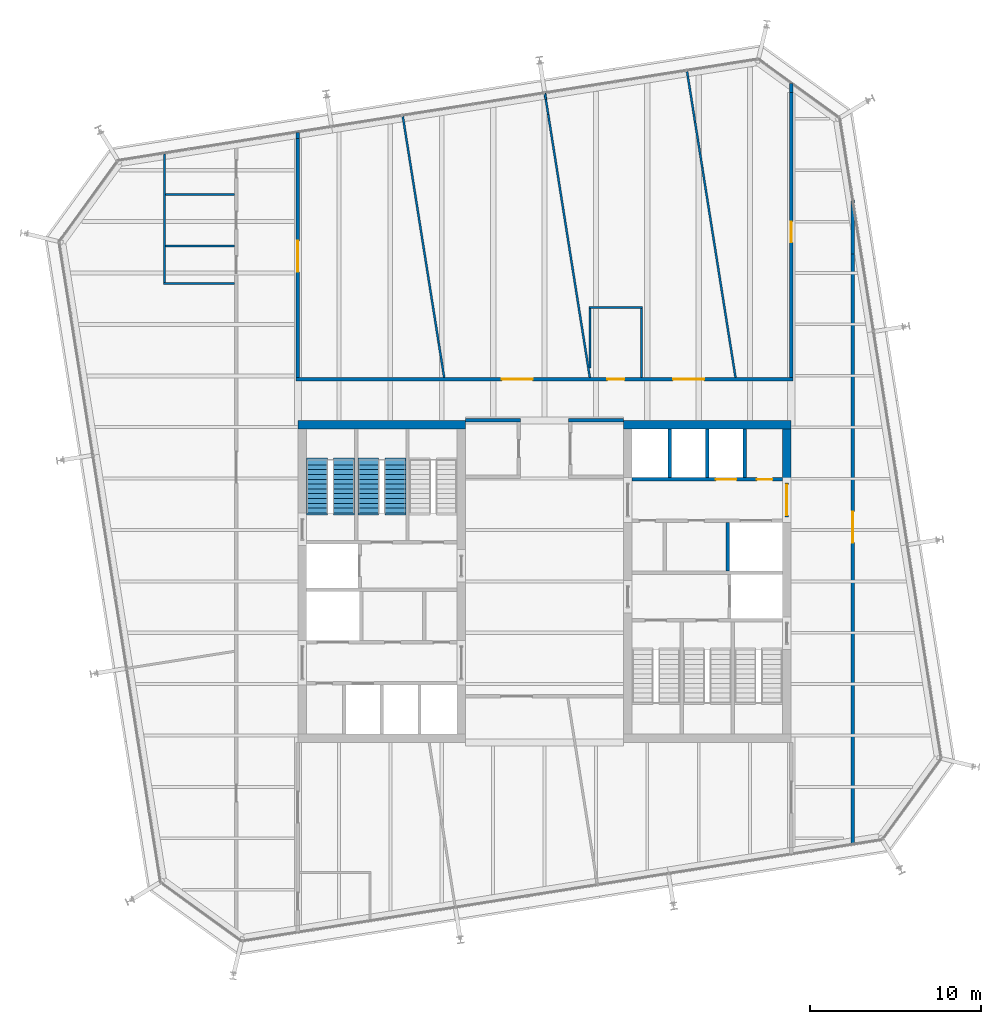
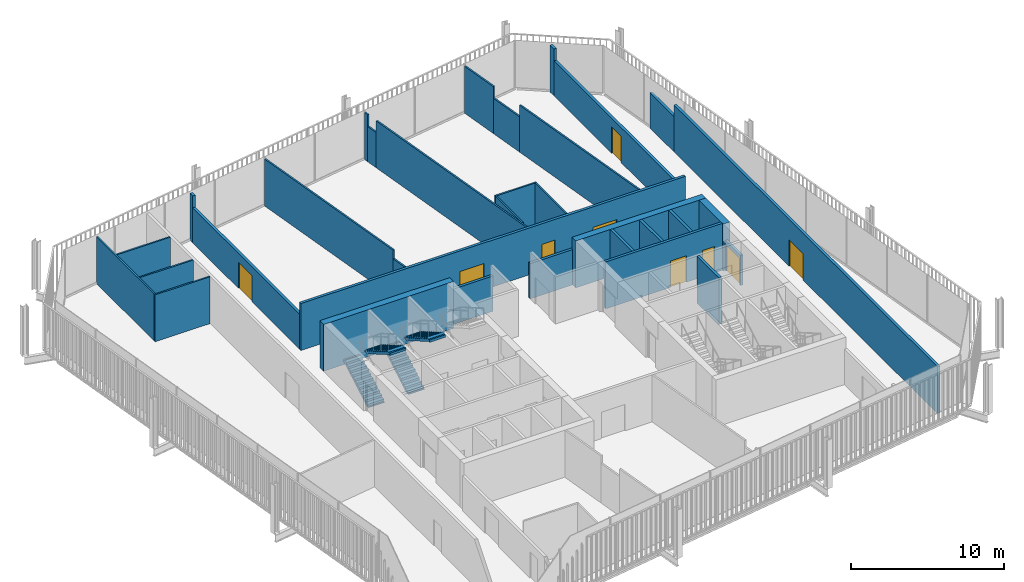
# One storey, part 18 of 20: 33 walls, 9 doors, 4 stair flights, 9 openings, 2 elements without a shape of their own.
"""IFC4 building model written with IfcOpenShell, lengths in metres."""

from ifc_helpers import new_model, si_unit, direction, frame, frame_2d, origin, place, context, subcontext, project, spatial, polyline, rectangle, outline, extrude, material, layer, layer_set, type_object, element, fill, aggregate, save


model = new_model("IFC4")

# Units and contexts
model_context = context("Model", 3, precision=1e-05, world=origin(), true_north=direction((0.0, 1.0)))
body_context = subcontext(model_context, "Body", "Model", "MODEL_VIEW")
ifc_project = project(units=[si_unit("LENGTHUNIT", "METRE"), si_unit("AREAUNIT", "SQUARE_METRE"), si_unit("VOLUMEUNIT", "CUBIC_METRE"), si_unit("PLANEANGLEUNIT", "RADIAN"), si_unit("MASSUNIT", "GRAM", prefix="KILO")], contexts=[model_context])

# Site, building, storey
site_placement = place(None, origin())
site = spatial("IfcSite", under=ifc_project, at=site_placement, CompositionType="ELEMENT")
building_placement = place(site_placement, origin())
building = spatial("IfcBuilding", under=site, at=building_placement, Name="Millrace Tower", CompositionType="ELEMENT")
storey_placement = place(building_placement, frame((0.0, 0.0, 251.300048828125)))
storey = spatial("IfcBuildingStorey", under=building, at=storey_placement, Name="L57", CompositionType="ELEMENT", Elevation=251.300048828125)

# Walls
ifc_material_1 = material(Name="Concrete C60", Category="concrete")
ifc_layer_1 = layer(ifc_material_1, 0.5)
ifc_layer_set_1 = layer_set([ifc_layer_1], Name="Concrete C60")
wall_type_1 = type_object("IfcWallType", Name="Core wall 500 Concrete C60", PredefinedType="SHEAR", material=ifc_layer_set_1)
for number, where, z_axis, x_axis, name in (
    (1, (-14.39990234375, 9.14990234375, 0.0), (0.0, 0.0, 1.0), (1.0, 0.0, 0.0), "Core wall W L57"),
    (2, (14.39990234375, 9.14990234375, 0.0), (0.0, 0.0, 1.0), (-1.0, 0.0, 0.0), "Core wall E L57"),
):
    element("IfcWall", number, at=place(storey_placement, frame(where, z_axis=z_axis, x_axis=x_axis)), inside=storey, type_object=wall_type_1, Name=name, PredefinedType="SHEAR", context=body_context, shape_type="SweptSolid", body=[
        extrude(rectangle(XDim=9.7998046875, YDim=0.5, at=frame_2d((4.89990234375, 0.0))), origin(), (0.0, 0.0, 1.0), 3.739990234375),
    ])
wall_1_placement = place(storey_placement, frame((14.14990234375, 8.89990234375, 0.0), z_axis=(0.0, 0.0, 1.0), x_axis=(0.0, -1.0, 0.0)))
element("IfcWall", 3, at=wall_1_placement, inside=storey, type_object=wall_type_1, Name="Core wall E L57", PredefinedType="SHEAR", context=body_context, shape_type="SweptSolid", body=[
    extrude(rectangle(XDim=3.14990234375, YDim=0.5, at=frame_2d((1.574951171875, 0.0))), origin(), (0.0, 0.0, 1.0), 3.739990234375),
])
ifc_material_2 = material(Name="Masonry partition, fire-rated", Category="masonry")
ifc_layer_2 = layer(ifc_material_2, 0.199951171875)
ifc_layer_set_2 = layer_set([ifc_layer_2], Name="Masonry partition, fire-rated")
wall_type_2 = type_object("IfcWallType", Name="Corridor wall 200", PredefinedType="PARTITIONING", material=ifc_layer_set_2)
for number, where, z_axis, x_axis, name in (
    (4, (-4.60009765625, 9.39990234375, 0.0), (0.0, 0.0, 1.0), (1.0, 0.0, 0.0), "Corridor wall L57"),
    (5, (1.39990234375, 9.39990234375, 0.0), (0.0, 0.0, 1.0), (1.0, 0.0, 0.0), "Corridor wall L57"),
):
    element("IfcWall", number, at=place(storey_placement, frame(where, z_axis=z_axis, x_axis=x_axis)), inside=storey, type_object=wall_type_2, Name=name, PredefinedType="PARTITIONING", context=body_context, shape_type="SweptSolid", body=[
        extrude(rectangle(XDim=3.2001953125, YDim=0.199951171875, at=frame_2d((1.60009765625, 0.0))), origin(), (0.0, 0.0, 1.0), 2.812744140625),
    ])

# Wall, openings, doors
wall_2_placement = place(storey_placement, frame((-14.5, 11.800048828125, 0.0), z_axis=(0.0, 0.0, 1.0), x_axis=(1.0, 0.0, 0.0)))
wall_2 = element("IfcWall", 6, at=wall_2_placement, inside=storey, type_object=wall_type_2, Name="Corridor wall L57", PredefinedType="PARTITIONING", context=body_context, shape_type="SweptSolid", body=[
    extrude(rectangle(XDim=29.0, YDim=0.199951171875, at=frame_2d((14.5, 0.0))), origin(), (0.0, 0.0, 1.0), 3.739990234375),
])
opening_1_placement = place(wall_2_placement, frame((12.009521484375, 0.0, 0.0)))
opening_1 = element("IfcOpeningElement", 7, at=opening_1_placement, cuts=wall_2, Name="Opening 57-P006", PredefinedType="OPENING", context=body_context, shape_type="SweptSolid", body=[
    extrude(rectangle(XDim=1.800048828125, YDim=2.10009765625, at=frame_2d((0.89990234375, 1.050048828125))), frame((0.0, 0.10986328125, 0.0), z_axis=(0.0, -1.0, 0.0), x_axis=(1.0, 0.0, 0.0)), (0.0, 0.0, 1.0), 0.219970703125),
])
opening_2_placement = place(wall_2_placement, frame((22.014404296875, 0.0, 0.0)))
opening_2 = element("IfcOpeningElement", 8, at=opening_2_placement, cuts=wall_2, Name="Opening 57-P007", PredefinedType="OPENING", context=body_context, shape_type="SweptSolid", body=[
    extrude(rectangle(XDim=1.800048828125, YDim=2.10009765625, at=frame_2d((0.89990234375, 1.050048828125))), frame((0.0, 0.10986328125, 0.0), z_axis=(0.0, -1.0, 0.0), x_axis=(1.0, 0.0, 0.0)), (0.0, 0.0, 1.0), 0.219970703125),
])
opening_3_placement = place(wall_2_placement, frame((18.162109375, 0.0, 0.0)))
opening_3 = element("IfcOpeningElement", 9, at=opening_3_placement, cuts=wall_2, Name="Opening 57-P008", PredefinedType="OPENING", context=body_context, shape_type="SweptSolid", body=[
    extrude(rectangle(XDim=1.0, YDim=2.10009765625, at=frame_2d((0.5, 1.050048828125))), frame((0.0, 0.10986328125, 0.0), z_axis=(0.0, -1.0, 0.0), x_axis=(1.0, 0.0, 0.0)), (0.0, 0.0, 1.0), 0.219970703125),
])
ifc_material_3 = material(Name="Steel door set, fire-rated", Category="steel")
door_type_1 = type_object("IfcDoorType", Name="Corridor door 1000 x 2100", OperationType="SINGLE_SWING_LEFT", PredefinedType="DOOR", material=ifc_material_3)
door_1_placement = place(opening_3_placement, origin())
door_1 = element("IfcDoor", 10, at=door_1_placement, inside=storey, type_object=door_type_1, Name="Door 57-P008", OperationType="SINGLE_SWING_RIGHT", OverallHeight=2.10009765625, OverallWidth=1.0, PredefinedType="DOOR", context=body_context, shape_type="SweptSolid", body=[
    extrude(rectangle(XDim=1.0, YDim=2.10009765625, at=frame_2d((0.5, 1.050048828125))), frame((0.0, 0.02490234375, 0.0), z_axis=(0.0, -1.0, 0.0), x_axis=(1.0, 0.0, 0.0)), (0.0, 0.0, 1.0), 0.050048828125),
])
fill(opening_3, door_1)
ifc_material_4 = material(Name="Steel door set, fire-rated", Category="steel")
door_type_2 = type_object("IfcDoorType", Name="Corridor door 1800 x 2100", OperationType="DOUBLE_DOOR_SINGLE_SWING", PredefinedType="DOOR", material=ifc_material_4)
door_2_placement = place(opening_1_placement, origin())
door_2 = element("IfcDoor", 11, at=door_2_placement, inside=storey, type_object=door_type_2, Name="Door 57-P006", OperationType="DOUBLE_DOOR_SINGLE_SWING", OverallHeight=2.10009765625, OverallWidth=1.800048828125, PredefinedType="DOOR", context=body_context, shape_type="SweptSolid", body=[
    extrude(rectangle(XDim=1.800048828125, YDim=2.10009765625, at=frame_2d((0.89990234375, 1.050048828125))), frame((0.0, 0.02490234375, 0.0), z_axis=(0.0, -1.0, 0.0), x_axis=(1.0, 0.0, 0.0)), (0.0, 0.0, 1.0), 0.050048828125),
])
fill(opening_1, door_2)
door_3_placement = place(opening_2_placement, origin())
door_3 = element("IfcDoor", 12, at=door_3_placement, inside=storey, type_object=door_type_2, Name="Door 57-P007", OperationType="DOUBLE_DOOR_SINGLE_SWING", OverallHeight=2.10009765625, OverallWidth=1.800048828125, PredefinedType="DOOR", context=body_context, shape_type="SweptSolid", body=[
    extrude(rectangle(XDim=1.800048828125, YDim=2.10009765625, at=frame_2d((0.89990234375, 1.050048828125))), frame((0.0, 0.02490234375, 0.0), z_axis=(0.0, -1.0, 0.0), x_axis=(1.0, 0.0, 0.0)), (0.0, 0.0, 1.0), 0.050048828125),
])
fill(opening_2, door_3)

# Wall, opening, door
wall_3_placement = place(storey_placement, frame((18.0, -15.304443359375, 0.0), z_axis=(0.0, 0.0, 1.0), x_axis=(0.0, 1.0, 0.0)))
wall_3 = element("IfcWall", 13, at=wall_3_placement, inside=storey, type_object=wall_type_2, Name="Corridor wall L57", PredefinedType="PARTITIONING", context=body_context, shape_type="SweptSolid", body=[
    extrude(rectangle(XDim=34.421630859375, YDim=0.199951171875, at=frame_2d((17.2109375, 0.0))), origin(), (0.0, 0.0, 1.0), 3.739990234375),
])
opening_4_placement = place(wall_3_placement, frame((17.56982421875, 0.0, 0.0)))
opening_4 = element("IfcOpeningElement", 14, at=opening_4_placement, cuts=wall_3, Name="Opening 57-P010", PredefinedType="OPENING", context=body_context, shape_type="SweptSolid", body=[
    extrude(rectangle(XDim=1.800048828125, YDim=2.10009765625, at=frame_2d((0.89990234375, 1.050048828125))), frame((0.0, 0.10986328125, 0.0), z_axis=(0.0, -1.0, 0.0), x_axis=(1.0, 0.0, 0.0)), (0.0, 0.0, 1.0), 0.219970703125),
])
door_4_placement = place(opening_4_placement, frame((1.800048828125, 0.0, 0.0), z_axis=(0.0, 0.0, 1.0), x_axis=(-1.0, 0.0, 0.0)))
door_4 = element("IfcDoor", 15, at=door_4_placement, inside=storey, type_object=door_type_2, Name="Door 57-P010", OperationType="DOUBLE_DOOR_SINGLE_SWING", OverallHeight=2.10009765625, OverallWidth=1.800048828125, PredefinedType="DOOR", context=body_context, shape_type="SweptSolid", body=[
    extrude(rectangle(XDim=1.800048828125, YDim=2.10009765625, at=frame_2d((0.89990234375, 1.050048828125))), frame((0.0, 0.02490234375, 0.0), z_axis=(0.0, -1.0, 0.0), x_axis=(1.0, 0.0, 0.0)), (0.0, 0.0, 1.0), 0.050048828125),
])
fill(opening_4, door_4)

# Wall
wall_4_placement = place(storey_placement, frame((18.0, 19.1171875, 0.0), z_axis=(0.0, 0.0, 1.0), x_axis=(0.0, 1.0, 0.0)))
element("IfcWall", 16, at=wall_4_placement, inside=storey, type_object=wall_type_2, Name="Corridor wall L57", PredefinedType="PARTITIONING", context=body_context, shape_type="SweptSolid", body=[
    extrude(rectangle(XDim=3.137451171875, YDim=0.199951171875, at=frame_2d((1.56884765625, 0.0))), origin(), (0.0, 0.0, 1.0), 2.812744140625),
])

# Wall, opening, door
wall_5_placement = place(storey_placement, frame((14.39990234375, 11.89990234375, 0.0), z_axis=(0.0, 0.0, 1.0), x_axis=(0.0, 1.0, 0.0)))
wall_5 = element("IfcWall", 17, at=wall_5_placement, inside=storey, type_object=wall_type_2, Name="Corridor wall L57", PredefinedType="PARTITIONING", context=body_context, shape_type="SweptSolid", body=[
    extrude(rectangle(XDim=16.640869140625, YDim=0.199951171875, at=frame_2d((8.3203125, 0.0))), origin(), (0.0, 0.0, 1.0), 2.79248046875),
])
opening_5_placement = place(wall_5_placement, frame((7.89794921875, 0.0, 0.0)))
opening_5 = element("IfcOpeningElement", 18, at=opening_5_placement, cuts=wall_5, Name="Opening 57-P009", PredefinedType="OPENING", context=body_context, shape_type="SweptSolid", body=[
    extrude(rectangle(XDim=1.199951171875, YDim=2.10009765625, at=frame_2d((0.60009765625, 1.050048828125))), frame((0.0, 0.10986328125, 0.0), z_axis=(0.0, -1.0, 0.0), x_axis=(1.0, 0.0, 0.0)), (0.0, 0.0, 1.0), 0.219970703125),
])
ifc_material_5 = material(Name="Steel door set, fire-rated", Category="steel")
door_type_3 = type_object("IfcDoorType", Name="Corridor door 1200 x 2100", OperationType="SINGLE_SWING_LEFT", PredefinedType="DOOR", material=ifc_material_5)
door_5_placement = place(opening_5_placement, origin())
door_5 = element("IfcDoor", 19, at=door_5_placement, inside=storey, type_object=door_type_3, Name="Door 57-P009", OperationType="SINGLE_SWING_RIGHT", OverallHeight=2.10009765625, OverallWidth=1.199951171875, PredefinedType="DOOR", context=body_context, shape_type="SweptSolid", body=[
    extrude(rectangle(XDim=1.199951171875, YDim=2.10009765625, at=frame_2d((0.60009765625, 1.050048828125))), frame((0.0, 0.02490234375, 0.0), z_axis=(0.0, -1.0, 0.0), x_axis=(1.0, 0.0, 0.0)), (0.0, 0.0, 1.0), 0.050048828125),
])
fill(opening_5, door_5)

# Wall
wall_6_placement = place(storey_placement, frame((14.39990234375, 28.540771484375, 0.0), z_axis=(0.0, 0.0, 1.0), x_axis=(0.0, 1.0, 0.0)))
element("IfcWall", 20, at=wall_6_placement, inside=storey, type_object=wall_type_2, Name="Corridor wall L57", PredefinedType="PARTITIONING", context=body_context, shape_type="SweptSolid", body=[
    extrude(rectangle(XDim=0.51708984375, YDim=0.199951171875, at=frame_2d((0.258544921875, 0.0))), origin(), (0.0, 0.0, 1.0), 3.739990234375),
])

# Wall, opening, door
wall_7_placement = place(storey_placement, frame((-14.39990234375, 11.89990234375, 0.0), z_axis=(0.0, 0.0, 1.0), x_axis=(0.0, 1.0, 0.0)))
wall_7 = element("IfcWall", 21, at=wall_7_placement, inside=storey, type_object=wall_type_2, Name="Corridor wall L57", PredefinedType="PARTITIONING", context=body_context, shape_type="SweptSolid", body=[
    extrude(rectangle(XDim=13.94873046875, YDim=0.199951171875, at=frame_2d((6.974365234375, 0.0))), origin(), (0.0, 0.0, 1.0), 2.79248046875),
])
opening_6_placement = place(wall_7_placement, frame((6.174072265625, 0.0, 0.0)))
opening_6 = element("IfcOpeningElement", 22, at=opening_6_placement, cuts=wall_7, Name="Opening 57-P005", PredefinedType="OPENING", context=body_context, shape_type="SweptSolid", body=[
    extrude(rectangle(XDim=1.800048828125, YDim=2.10009765625, at=frame_2d((0.89990234375, 1.050048828125))), frame((0.0, 0.10986328125, 0.0), z_axis=(0.0, -1.0, 0.0), x_axis=(1.0, 0.0, 0.0)), (0.0, 0.0, 1.0), 0.219970703125),
])
door_6_placement = place(opening_6_placement, frame((1.800048828125, 0.0, 0.0), z_axis=(0.0, 0.0, 1.0), x_axis=(-1.0, 0.0, 0.0)))
door_6 = element("IfcDoor", 23, at=door_6_placement, inside=storey, type_object=door_type_2, Name="Door 57-P005", OperationType="DOUBLE_DOOR_SINGLE_SWING", OverallHeight=2.10009765625, OverallWidth=1.800048828125, PredefinedType="DOOR", context=body_context, shape_type="SweptSolid", body=[
    extrude(rectangle(XDim=1.800048828125, YDim=2.10009765625, at=frame_2d((0.89990234375, 1.050048828125))), frame((0.0, 0.02490234375, 0.0), z_axis=(0.0, -1.0, 0.0), x_axis=(1.0, 0.0, 0.0)), (0.0, 0.0, 1.0), 0.050048828125),
])
fill(opening_6, door_6)

# Wall
wall_8_placement = place(storey_placement, frame((-14.39990234375, 25.8486328125, 0.0), z_axis=(0.0, 0.0, 1.0), x_axis=(0.0, 1.0, 0.0)))
element("IfcWall", 24, at=wall_8_placement, inside=storey, type_object=wall_type_2, Name="Corridor wall L57", PredefinedType="PARTITIONING", context=body_context, shape_type="SweptSolid", body=[
    extrude(rectangle(XDim=0.349609375, YDim=0.199951171875, at=frame_2d((0.1748046875, 0.0))), origin(), (0.0, 0.0, 1.0), 3.739990234375),
])

# Wall, openings, doors
ifc_material_6 = material(Name="Masonry partition, fire-rated", Category="masonry")
ifc_layer_3 = layer(ifc_material_6, 0.199951171875)
ifc_layer_set_3 = layer_set([ifc_layer_3], Name="Masonry partition, fire-rated")
wall_type_3 = type_object("IfcWallType", Name="Lift shaft wall 200", PredefinedType="PARTITIONING", material=ifc_layer_set_3)
wall_9_placement = place(storey_placement, frame((13.89990234375, 5.949951171875, 0.0), z_axis=(0.0, 0.0, 1.0), x_axis=(-1.0, 0.0, 0.0)))
wall_9 = element("IfcWall", 25, at=wall_9_placement, inside=storey, type_object=wall_type_3, Name="Lift shaft wall E L57", PredefinedType="PARTITIONING", context=body_context, shape_type="SweptSolid", body=[
    extrude(rectangle(XDim=8.7998046875, YDim=0.199951171875, at=frame_2d((4.39990234375, 0.0))), origin(), (0.0, 0.0, 1.0), 3.739990234375),
])
opening_7_placement = place(wall_9_placement, frame((2.699951171875, 0.0, 0.0)))
opening_7 = element("IfcOpeningElement", 26, at=opening_7_placement, cuts=wall_9, Name="Opening 57-LD10", PredefinedType="OPENING", context=body_context, shape_type="SweptSolid", body=[
    extrude(rectangle(XDim=1.199951171875, YDim=2.10009765625, at=frame_2d((0.60009765625, 1.050048828125))), frame((0.0, 0.10986328125, 0.0), z_axis=(0.0, -1.0, 0.0), x_axis=(1.0, 0.0, 0.0)), (0.0, 0.0, 1.0), 0.219970703125),
])
opening_8_placement = place(wall_9_placement, frame((0.60009765625, 0.0, 0.0)))
opening_8 = element("IfcOpeningElement", 27, at=opening_8_placement, cuts=wall_9, Name="Opening 57-C014", PredefinedType="OPENING", context=body_context, shape_type="SweptSolid", body=[
    extrude(rectangle(XDim=0.89990234375, YDim=2.10009765625, at=frame_2d((0.449951171875, 1.050048828125))), frame((0.0, 0.10986328125, 0.0), z_axis=(0.0, -1.0, 0.0), x_axis=(1.0, 0.0, 0.0)), (0.0, 0.0, 1.0), 0.219970703125),
])
ifc_material_7 = material(Name="Stainless steel, fire-rated", Category="steel")
door_type_4 = type_object("IfcDoorType", Name="Lift landing door 1200 x 2100", OperationType="DOUBLE_DOOR_SLIDING", PredefinedType="DOOR", material=ifc_material_7)
door_7_placement = place(opening_7_placement, origin())
door_7 = element("IfcDoor", 28, at=door_7_placement, inside=storey, type_object=door_type_4, Name="Lift landing door LF10 L57", OperationType="DOUBLE_DOOR_SLIDING", OverallHeight=2.10009765625, OverallWidth=1.199951171875, PredefinedType="DOOR", context=body_context, shape_type="SweptSolid", body=[
    extrude(rectangle(XDim=1.199951171875, YDim=2.10009765625, at=frame_2d((0.60009765625, 1.050048828125))), frame((0.0, 0.02490234375, 0.0), z_axis=(0.0, -1.0, 0.0), x_axis=(1.0, 0.0, 0.0)), (0.0, 0.0, 1.0), 0.050048828125),
])
fill(opening_7, door_7)
ifc_material_8 = material(Name="Steel door, fire-rated", Category="steel")
door_type_5 = type_object("IfcDoorType", Name="Service room door 900 x 2100", OperationType="SINGLE_SWING_LEFT", PredefinedType="DOOR", material=ifc_material_8)
door_8_placement = place(opening_8_placement, frame((0.89990234375, 0.0, 0.0), z_axis=(0.0, 0.0, 1.0), x_axis=(-1.0, 0.0, 0.0)))
door_8 = element("IfcDoor", 29, at=door_8_placement, inside=storey, type_object=door_type_5, Name="Service room door 57-C014", OperationType="SINGLE_SWING_RIGHT", OverallHeight=2.10009765625, OverallWidth=0.89990234375, PredefinedType="DOOR", context=body_context, shape_type="SweptSolid", body=[
    extrude(rectangle(XDim=0.89990234375, YDim=2.10009765625, at=frame_2d((0.449951171875, 1.050048828125))), frame((0.0, 0.02490234375, 0.0), z_axis=(0.0, -1.0, 0.0), x_axis=(1.0, 0.0, 0.0)), (0.0, 0.0, 1.0), 0.050048828125),
])
fill(opening_8, door_8)

# Walls
for number, where, z_axis, x_axis, name in (
    (30, (11.699951171875, 8.89990234375, 0.0), (0.0, 0.0, 1.0), (0.0, -1.0, 0.0), "Lift shaft wall E L57"),
    (31, (9.5, 8.89990234375, 0.0), (0.0, 0.0, 1.0), (0.0, -1.0, 0.0), "Lift shaft wall E L57"),
    (32, (7.300048828125, 8.89990234375, 0.0), (0.0, 0.0, 1.0), (0.0, -1.0, 0.0), "Lift shaft wall E L57"),
    (33, (10.699951171875, 3.449951171875, 0.0), (0.0, 0.0, 1.0), (0.0, -1.0, 0.0), "Lift shaft wall E L57"),
):
    element("IfcWall", number, at=place(storey_placement, frame(where, z_axis=z_axis, x_axis=x_axis)), inside=storey, type_object=wall_type_3, Name=name, PredefinedType="PARTITIONING", context=body_context, shape_type="SweptSolid", body=[
        extrude(rectangle(XDim=2.849853515625, YDim=0.199951171875, at=frame_2d((1.4248046875, 0.0))), origin(), (0.0, 0.0, 1.0), 3.739990234375),
    ])

# Wall, opening, door
ifc_material_9 = material(Name="Masonry partition, fire-rated", Category="masonry")
ifc_layer_4 = layer(ifc_material_9, 0.199951171875)
ifc_layer_set_4 = layer_set([ifc_layer_4], Name="Masonry partition, fire-rated")
wall_type_4 = type_object("IfcWallType", Name="Lobby wall 200", PredefinedType="PARTITIONING", material=ifc_layer_set_4)
wall_10_placement = place(storey_placement, frame((14.14990234375, 5.75, 0.0), z_axis=(0.0, 0.0, 1.0), x_axis=(0.0, -1.0, 0.0)))
wall_10 = element("IfcWall", 34, at=wall_10_placement, inside=storey, type_object=wall_type_4, Name="Lobby wall E L57", PredefinedType="PARTITIONING", context=body_context, shape_type="SweptSolid", body=[
    extrude(rectangle(XDim=2.0, YDim=0.199951171875, at=frame_2d((1.0, 0.0))), origin(), (0.0, 0.0, 1.0), 2.39990234375),
])
opening_9_placement = place(wall_10_placement, frame((0.10009765625, 0.0, 0.0)))
opening_9 = element("IfcOpeningElement", 35, at=opening_9_placement, cuts=wall_10, Name="Opening 57-C010", PredefinedType="OPENING", context=body_context, shape_type="SweptSolid", body=[
    extrude(rectangle(XDim=1.800048828125, YDim=2.10009765625, at=frame_2d((0.89990234375, 1.050048828125))), frame((0.0, 0.10986328125, 0.0), z_axis=(0.0, -1.0, 0.0), x_axis=(1.0, 0.0, 0.0)), (0.0, 0.0, 1.0), 0.219970703125),
])
ifc_material_10 = material(Name="Steel door, fire-rated", Category="steel")
door_type_6 = type_object("IfcDoorType", Name="Lobby door 1800 x 2100", OperationType="DOUBLE_DOOR_SINGLE_SWING", PredefinedType="DOOR", material=ifc_material_10)
door_9_placement = place(opening_9_placement, origin())
door_9 = element("IfcDoor", 36, at=door_9_placement, inside=storey, type_object=door_type_6, Name="Lobby door 57-C010", OperationType="DOUBLE_DOOR_SINGLE_SWING", OverallHeight=2.10009765625, OverallWidth=1.800048828125, PredefinedType="DOOR", context=body_context, shape_type="SweptSolid", body=[
    extrude(rectangle(XDim=1.800048828125, YDim=2.10009765625, at=frame_2d((0.89990234375, 1.050048828125))), frame((0.0, 0.02490234375, 0.0), z_axis=(0.0, -1.0, 0.0), x_axis=(1.0, 0.0, 0.0)), (0.0, 0.0, 1.0), 0.050048828125),
])
fill(opening_9, door_9)

# Walls
ifc_material_11 = material(Name="Gypsum board partition")
ifc_layer_5 = layer(ifc_material_11, 0.1201171875)
ifc_layer_set_5 = layer_set([ifc_layer_5], Name="Gypsum board partition")
wall_type_5 = type_object("IfcWallType", Name="Partition wall 120", PredefinedType="PARTITIONING", material=ifc_layer_set_5)
wall_11_placement = place(storey_placement, frame((-8.27685546875, 27.16796875, 0.0), z_axis=(0.0, 0.0, 1.0), x_axis=(0.156426233908, -0.987689644243, 0.0)))
element("IfcWall", 37, at=wall_11_placement, inside=storey, type_object=wall_type_5, Name="Partition wall L57", PredefinedType="PARTITIONING", context=body_context, shape_type="SweptSolid", body=[
    extrude(rectangle(XDim=13.356689453125, YDim=0.1201171875, at=frame_2d((6.67822265625, 0.0))), origin(), (0.0, 0.0, 1.0), 3.739990234375),
])
wall_12_placement = place(storey_placement, frame((-6.1875, 13.9755859375, 0.0), z_axis=(0.0, 0.0, 1.0), x_axis=(0.15639182904, -0.987695092531, 0.0)))
element("IfcWall", 38, at=wall_12_placement, inside=storey, type_object=wall_type_5, Name="Partition wall L57", PredefinedType="PARTITIONING", context=body_context, shape_type="SweptSolid", body=[
    extrude(rectangle(XDim=2.102783203125, YDim=0.1201171875, at=frame_2d((1.05126953125, 0.0))), origin(), (0.0, 0.0, 1.0), 3.046630859375),
])
wall_13_placement = place(storey_placement, frame((0.020263671875, 28.482177734375, 0.0), z_axis=(0.0, 0.0, 1.0), x_axis=(0.155999489422, -0.987757135788, 0.0)))
element("IfcWall", 39, at=wall_13_placement, inside=storey, type_object=wall_type_5, Name="Partition wall L57", PredefinedType="PARTITIONING", context=body_context, shape_type="SweptSolid", body=[
    extrude(rectangle(XDim=0.339599609375, YDim=0.1201171875, at=frame_2d((0.169921875, 0.0))), origin(), (0.0, 0.0, 1.0), 3.739990234375),
])
wall_14_placement = place(storey_placement, frame((0.0732421875, 28.146728515625, 0.0), z_axis=(0.0, 0.0, 1.0), x_axis=(0.156454153155, -0.987685222103, 0.0)))
element("IfcWall", 40, at=wall_14_placement, inside=storey, type_object=wall_type_5, Name="Partition wall L57", PredefinedType="PARTITIONING", context=body_context, shape_type="SweptSolid", body=[
    extrude(rectangle(XDim=0.892578125, YDim=0.1201171875, at=frame_2d((0.4462890625, 0.0))), origin(), (0.0, 0.0, 1.0), 2.812744140625),
])
wall_15_placement = place(storey_placement, frame((0.212890625, 27.26513671875, 0.0), z_axis=(0.0, 0.0, 1.0), x_axis=(0.156405760939, -0.987692886451, 0.0)))
element("IfcWall", 41, at=wall_15_placement, inside=storey, type_object=wall_type_5, Name="Partition wall L57", PredefinedType="PARTITIONING", context=body_context, shape_type="SweptSolid", body=[
    extrude(rectangle(XDim=15.557861328125, YDim=0.1201171875, at=frame_2d((7.77880859375, 0.0))), origin(), (0.0, 0.0, 1.0), 3.739990234375),
])
wall_16_placement = place(storey_placement, frame((8.316162109375, 29.796142578125, 0.0), z_axis=(0.0, 0.0, 1.0), x_axis=(0.156487443133, -0.987679948233, 0.0)))
element("IfcWall", 42, at=wall_16_placement, inside=storey, type_object=wall_type_5, Name="Partition wall L57", PredefinedType="PARTITIONING", context=body_context, shape_type="SweptSolid", body=[
    extrude(rectangle(XDim=3.009521484375, YDim=0.1201171875, at=frame_2d((1.5048828125, 0.0))), origin(), (0.0, 0.0, 1.0), 3.739990234375),
])
wall_17_placement = place(storey_placement, frame((8.787109375, 26.82373046875, 0.0), z_axis=(0.0, 0.0, 1.0), x_axis=(0.156436996348, -0.987687939672, 0.0)))
element("IfcWall", 43, at=wall_17_placement, inside=storey, type_object=wall_type_5, Name="Partition wall L57", PredefinedType="PARTITIONING", context=body_context, shape_type="SweptSolid", body=[
    extrude(rectangle(XDim=2.7216796875, YDim=0.1201171875, at=frame_2d((1.36083984375, 0.0))), origin(), (0.0, 0.0, 1.0), 2.812744140625),
])
wall_18_placement = place(storey_placement, frame((9.212890625, 24.135498046875, 0.0), z_axis=(0.0, 0.0, 1.0), x_axis=(0.156462436553, -0.987683909937, 0.0)))
element("IfcWall", 44, at=wall_18_placement, inside=storey, type_object=wall_type_5, Name="Partition wall L57", PredefinedType="PARTITIONING", context=body_context, shape_type="SweptSolid", body=[
    extrude(rectangle(XDim=12.389404296875, YDim=0.1201171875, at=frame_2d((6.19482421875, 0.0))), origin(), (0.0, 0.0, 1.0), 3.739990234375),
])
wall_19_placement = place(storey_placement, frame((2.60205078125, 16.0, 0.0), z_axis=(0.0, 0.0, 1.0), x_axis=(1.0, 0.0, 0.0)))
element("IfcWall", 45, at=wall_19_placement, inside=storey, type_object=wall_type_5, Name="Partition wall L57", PredefinedType="PARTITIONING", context=body_context, shape_type="SweptSolid", body=[
    extrude(rectangle(XDim=3.119873046875, YDim=0.1201171875, at=frame_2d((1.56005859375, 0.0))), origin(), (0.0, 0.0, 1.0), 3.739990234375),
])
wall_20_placement = place(storey_placement, frame((-22.260009765625, 17.376953125, 0.0), z_axis=(0.0, 0.0, 1.0), x_axis=(1.0, 0.0, 0.0)))
element("IfcWall", 46, at=wall_20_placement, inside=storey, type_object=wall_type_5, Name="Partition wall L57", PredefinedType="PARTITIONING", context=body_context, shape_type="SweptSolid", body=[
    extrude(rectangle(XDim=4.159912109375, YDim=0.1201171875, at=frame_2d((2.080078125, 0.0))), origin(), (0.0, 0.0, 1.0), 3.739990234375),
])
for number, where, z_axis, x_axis, name in (
    (47, (-22.139892578125, 19.576904296875, 0.0), (0.0, 0.0, 1.0), (1.0, 0.0, 0.0), "Partition wall L57"),
    (48, (-22.139892578125, 22.576904296875, 0.0), (0.0, 0.0, 1.0), (1.0, 0.0, 0.0), "Partition wall L57"),
):
    element("IfcWall", number, at=place(storey_placement, frame(where, z_axis=z_axis, x_axis=x_axis)), inside=storey, type_object=wall_type_5, Name=name, PredefinedType="PARTITIONING", context=body_context, shape_type="SweptSolid", body=[
        extrude(rectangle(XDim=4.039794921875, YDim=0.1201171875, at=frame_2d((2.02001953125, 0.0))), origin(), (0.0, 0.0, 1.0), 3.739990234375),
    ])
wall_21_placement = place(storey_placement, frame((5.662109375, 11.89990234375, 0.0), z_axis=(0.0, 0.0, 1.0), x_axis=(0.0, 1.0, 0.0)))
element("IfcWall", 49, at=wall_21_placement, inside=storey, type_object=wall_type_5, Name="Partition wall L57", PredefinedType="PARTITIONING", context=body_context, shape_type="SweptSolid", body=[
    extrude(rectangle(XDim=4.0400390625, YDim=0.1201171875, at=frame_2d((2.02001953125, 0.0))), origin(), (0.0, 0.0, 1.0), 3.739990234375),
])
wall_22_placement = place(storey_placement, frame((2.662109375, 12.4677734375, 0.0), z_axis=(0.0, 0.0, 1.0), x_axis=(0.0, 1.0, 0.0)))
element("IfcWall", 50, at=wall_22_placement, inside=storey, type_object=wall_type_5, Name="Partition wall L57", PredefinedType="PARTITIONING", context=body_context, shape_type="SweptSolid", body=[
    extrude(rectangle(XDim=3.47216796875, YDim=0.1201171875, at=frame_2d((1.736083984375, 0.0))), origin(), (0.0, 0.0, 1.0), 3.739990234375),
])
wall_23_placement = place(storey_placement, frame((-22.199951171875, 17.43701171875, 0.0), z_axis=(0.0, 0.0, 1.0), x_axis=(0.0, 1.0, 0.0)))
element("IfcWall", 51, at=wall_23_placement, inside=storey, type_object=wall_type_5, Name="Partition wall L57", PredefinedType="PARTITIONING", context=body_context, shape_type="SweptSolid", body=[
    extrude(rectangle(XDim=7.525634765625, YDim=0.1201171875, at=frame_2d((3.7626953125, 0.0))), origin(), (0.0, 0.0, 1.0), 3.739990234375),
])

# Stair, stair flights
ifc_material_12 = material(Name="Concrete C35", Category="concrete")
stair_type = type_object("IfcStairType", Name="Exit stair", PredefinedType="HALF_TURN_STAIR", material=ifc_material_12)
placement = place(storey_placement, origin())
stair_1 = element("IfcStair", 52, at=placement, inside=storey, type_object=stair_type, Name="Stair 1 W L57", PredefinedType="HALF_TURN_STAIR")
ifc_material_13 = material(Name="Concrete C35", Category="concrete")
stair_flight_type = type_object("IfcStairFlightType", Name="Exit stair flight", PredefinedType="STRAIGHT", material=ifc_material_13)
stair_flight_1_placement = place(storey_placement, frame((-13.2900390625, 4.0, 0.0), z_axis=(0.0, 0.0, 1.0), x_axis=(0.0, 1.0, 0.0)))
stair_flight_1 = element("IfcStairFlight", 53, at=stair_flight_1_placement, type_object=stair_flight_type, Name="ST12 flight 1", NumberOfRisers=12, NumberOfTreads=11, PredefinedType="STRAIGHT", RiserHeight=0.1625, TreadLength=0.28, context=body_context, shape_type="SweptSolid", body=[
    extrude(outline(polyline([(-0.1201171875, -0.0400390625), (-0.1201171875, 0.0), (0.0, 0.0), (0.0, 0.16259765625), (0.280029296875, 0.16259765625), (0.280029296875, 0.324951171875), (0.56005859375, 0.324951171875), (0.56005859375, 0.487548828125), (0.840087890625, 0.487548828125), (0.840087890625, 0.64990234375), (1.1201171875, 0.64990234375), (1.1201171875, 0.8125), (1.39990234375, 0.8125), (1.39990234375, 0.97509765625), (1.679931640625, 0.97509765625), (1.679931640625, 1.137451171875), (1.9599609375, 1.137451171875), (1.9599609375, 1.300048828125), (2.239990234375, 1.300048828125), (2.239990234375, 1.46240234375), (2.52001953125, 1.46240234375), (2.52001953125, 1.625), (2.800048828125, 1.625), (2.800048828125, 1.78759765625), (3.080078125, 1.78759765625), (3.080078125, 1.8076171875), (3.199951171875, 1.8076171875), (3.199951171875, 1.6142578125), (3.080078125, 1.6142578125), (0.298583984375, 0.0), (0.298583984375, -0.0400390625), (-0.1201171875, -0.0400390625)])), frame((0.0, 0.60986328125, 0.0), z_axis=(0.0, -1.0, 0.0), x_axis=(1.0, 0.0, 0.0)), (0.0, 0.0, 1.0), 1.219970703125),
])
stair_flight_2_placement = place(storey_placement, frame((-11.7099609375, 7.080078125, 1.949951171875), z_axis=(0.0, 0.0, 1.0), x_axis=(0.0, -1.0, 0.0)))
stair_flight_2 = element("IfcStairFlight", 54, at=stair_flight_2_placement, type_object=stair_flight_type, Name="ST12 flight 2", NumberOfRisers=12, NumberOfTreads=11, PredefinedType="STRAIGHT", RiserHeight=0.1625, TreadLength=0.28, context=body_context, shape_type="SweptSolid", body=[
    extrude(outline(polyline([(-0.1201171875, -0.0400390625), (-0.1201171875, 0.0), (0.0, 0.0), (0.0, 0.16259765625), (0.280029296875, 0.16259765625), (0.280029296875, 0.324951171875), (0.56005859375, 0.324951171875), (0.56005859375, 0.487548828125), (0.840087890625, 0.487548828125), (0.840087890625, 0.64990234375), (1.1201171875, 0.64990234375), (1.1201171875, 0.8125), (1.39990234375, 0.8125), (1.39990234375, 0.97509765625), (1.679931640625, 0.97509765625), (1.679931640625, 1.137451171875), (1.9599609375, 1.137451171875), (1.9599609375, 1.300048828125), (2.239990234375, 1.300048828125), (2.239990234375, 1.46240234375), (2.52001953125, 1.46240234375), (2.52001953125, 1.625), (2.800048828125, 1.625), (2.800048828125, 1.78759765625), (3.080078125, 1.78759765625), (3.080078125, 1.8076171875), (3.199951171875, 1.8076171875), (3.199951171875, 1.6142578125), (3.080078125, 1.6142578125), (0.298583984375, 0.0), (0.298583984375, -0.0400390625), (-0.1201171875, -0.0400390625)])), frame((0.0, 0.60986328125, 0.0), z_axis=(0.0, -1.0, 0.0), x_axis=(1.0, 0.0, 0.0)), (0.0, 0.0, 1.0), 1.219970703125),
])
aggregate(stair_1, [stair_flight_1, stair_flight_2])

stair_2 = element("IfcStair", 55, at=placement, inside=storey, type_object=stair_type, Name="Stair 2 W L57", PredefinedType="HALF_TURN_STAIR")
stair_flight_3_placement = place(storey_placement, frame((-10.2900390625, 4.0, 0.0), z_axis=(0.0, 0.0, 1.0), x_axis=(0.0, 1.0, 0.0)))
stair_flight_3 = element("IfcStairFlight", 56, at=stair_flight_3_placement, type_object=stair_flight_type, Name="ST12 flight 1", NumberOfRisers=12, NumberOfTreads=11, PredefinedType="STRAIGHT", RiserHeight=0.1625, TreadLength=0.28, context=body_context, shape_type="SweptSolid", body=[
    extrude(outline(polyline([(-0.1201171875, -0.0400390625), (-0.1201171875, 0.0), (0.0, 0.0), (0.0, 0.16259765625), (0.280029296875, 0.16259765625), (0.280029296875, 0.324951171875), (0.56005859375, 0.324951171875), (0.56005859375, 0.487548828125), (0.840087890625, 0.487548828125), (0.840087890625, 0.64990234375), (1.1201171875, 0.64990234375), (1.1201171875, 0.8125), (1.39990234375, 0.8125), (1.39990234375, 0.97509765625), (1.679931640625, 0.97509765625), (1.679931640625, 1.137451171875), (1.9599609375, 1.137451171875), (1.9599609375, 1.300048828125), (2.239990234375, 1.300048828125), (2.239990234375, 1.46240234375), (2.52001953125, 1.46240234375), (2.52001953125, 1.625), (2.800048828125, 1.625), (2.800048828125, 1.78759765625), (3.080078125, 1.78759765625), (3.080078125, 1.8076171875), (3.199951171875, 1.8076171875), (3.199951171875, 1.6142578125), (3.080078125, 1.6142578125), (0.298583984375, 0.0), (0.298583984375, -0.0400390625), (-0.1201171875, -0.0400390625)])), frame((0.0, 0.60986328125, 0.0), z_axis=(0.0, -1.0, 0.0), x_axis=(1.0, 0.0, 0.0)), (0.0, 0.0, 1.0), 1.219970703125),
])
stair_flight_4_placement = place(storey_placement, frame((-8.7099609375, 7.080078125, 1.949951171875), z_axis=(0.0, 0.0, 1.0), x_axis=(0.0, -1.0, 0.0)))
stair_flight_4 = element("IfcStairFlight", 57, at=stair_flight_4_placement, type_object=stair_flight_type, Name="ST12 flight 2", NumberOfRisers=12, NumberOfTreads=11, PredefinedType="STRAIGHT", RiserHeight=0.1625, TreadLength=0.28, context=body_context, shape_type="SweptSolid", body=[
    extrude(outline(polyline([(-0.1201171875, -0.0400390625), (-0.1201171875, 0.0), (0.0, 0.0), (0.0, 0.16259765625), (0.280029296875, 0.16259765625), (0.280029296875, 0.324951171875), (0.56005859375, 0.324951171875), (0.56005859375, 0.487548828125), (0.840087890625, 0.487548828125), (0.840087890625, 0.64990234375), (1.1201171875, 0.64990234375), (1.1201171875, 0.8125), (1.39990234375, 0.8125), (1.39990234375, 0.97509765625), (1.679931640625, 0.97509765625), (1.679931640625, 1.137451171875), (1.9599609375, 1.137451171875), (1.9599609375, 1.300048828125), (2.239990234375, 1.300048828125), (2.239990234375, 1.46240234375), (2.52001953125, 1.46240234375), (2.52001953125, 1.625), (2.800048828125, 1.625), (2.800048828125, 1.78759765625), (3.080078125, 1.78759765625), (3.080078125, 1.8076171875), (3.199951171875, 1.8076171875), (3.199951171875, 1.6142578125), (3.080078125, 1.6142578125), (0.298583984375, 0.0), (0.298583984375, -0.0400390625), (-0.1201171875, -0.0400390625)])), frame((0.0, 0.60986328125, 0.0), z_axis=(0.0, -1.0, 0.0), x_axis=(1.0, 0.0, 0.0)), (0.0, 0.0, 1.0), 1.219970703125),
])
aggregate(stair_2, [stair_flight_3, stair_flight_4])

save(model, "model.ifc")
